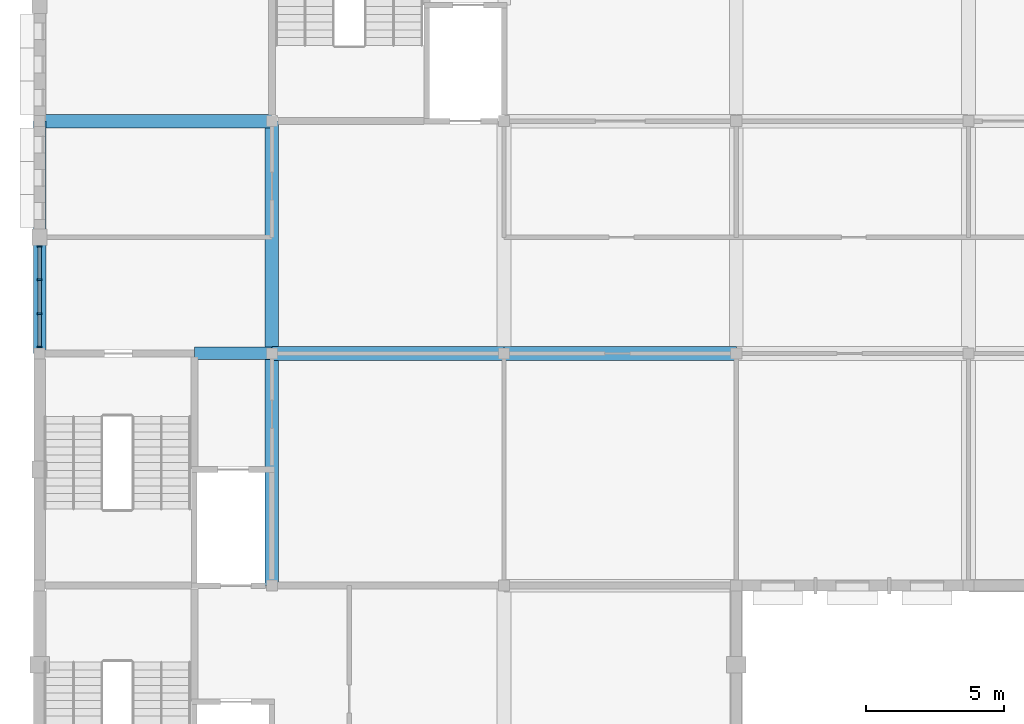
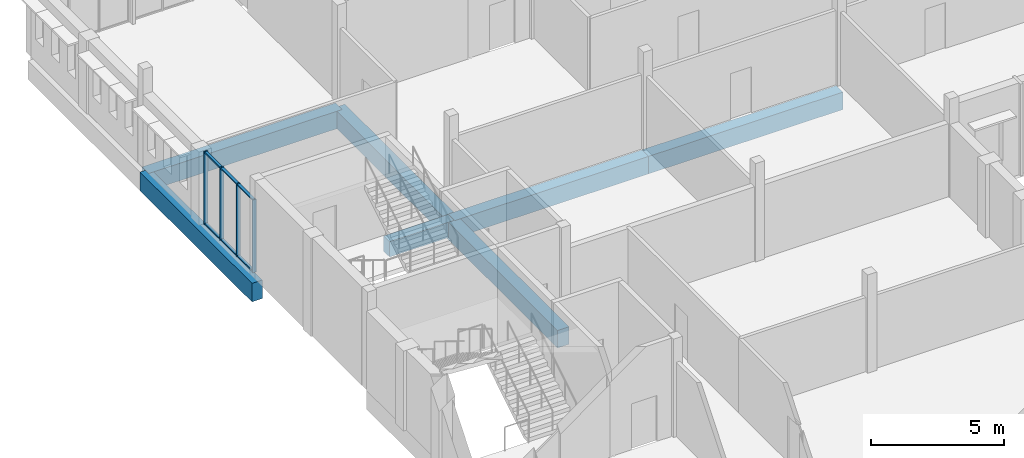
# One storey, part 8 of 22: 10 members, 7 beams, 1 element without a shape of its own.
"""IFC4 building model written with IfcOpenShell, lengths in metres."""

from ifc_helpers import new_model, si_unit, direction, frame, origin, origin_2d, place, context, subcontext, project, spatial, rectangle, extrude, material, material_profile, profile_set, type_object, element, aggregate, save


model = new_model("IFC4")

# Units and contexts
model_context = context("Model", 3, precision=1e-05, world=origin(), true_north=direction((0.0, 1.0)))
body_context = subcontext(model_context, "Body", "Model", "MODEL_VIEW")
ifc_project = project(units=[si_unit("LENGTHUNIT", "METRE"), si_unit("AREAUNIT", "SQUARE_METRE"), si_unit("VOLUMEUNIT", "CUBIC_METRE"), si_unit("PLANEANGLEUNIT", "RADIAN"), si_unit("MASSUNIT", "GRAM", prefix="KILO")], contexts=[model_context])

# Site, building, storey
site_placement = place(None, origin())
site = spatial("IfcSite", under=ifc_project, at=site_placement, CompositionType="ELEMENT")
building_placement = place(site_placement, origin())
building = spatial("IfcBuilding", under=site, at=building_placement, Name="Fescue Hill Polytechnic", CompositionType="ELEMENT")
storey_placement = place(building_placement, frame((0.0, 0.0, 27.0)))
storey = spatial("IfcBuildingStorey", under=building, at=storey_placement, Name="L06", CompositionType="ELEMENT", Elevation=27.0)

# Beams
ifc_material_1 = material(Name="Concrete 35 MPa", Category="concrete")
ifc_material_profile_1 = material_profile(ifc_material_1, rectangle(XDim=0.449951171875, YDim=0.699951171875, at=origin_2d()), Name="RC 450x700")
ifc_profile_set_1 = profile_set([ifc_material_profile_1], Name="Concrete 35 MPa")
beam_type_1 = type_object("IfcBeamType", Name="Beam RC 450x700", PredefinedType="BEAM", material=ifc_profile_set_1)
beam_1_placement = place(storey_placement, frame((5.60009765625, 117.60009765625, -0.64990234375), z_axis=(1.0, 0.0, 0.0), x_axis=(0.0, 1.0, 0.0)))
element("IfcBeam", 1, at=beam_1_placement, inside=storey, type_object=beam_type_1, Name="BM-L06-0015", PredefinedType="BEAM", context=body_context, shape_type="SweptSolid", body=[
    extrude(rectangle(XDim=0.449951171875, YDim=0.699951171875, at=origin_2d()), origin(), (0.0, 0.0, 1.0), 2.789794921875),
])
ifc_material_profile_2 = material_profile(ifc_material_1, rectangle(XDim=0.449951171875, YDim=0.85009765625, at=origin_2d()), Name="RC 450x850")
ifc_profile_set_2 = profile_set([ifc_material_profile_2], Name="Concrete 35 MPa")
beam_type_2 = type_object("IfcBeamType", Name="Beam RC 450x850", PredefinedType="BEAM", material=ifc_profile_set_2)
beam_2_placement = place(storey_placement, frame((0.0, 117.60009765625, -0.72509765625), z_axis=(0.0, 1.0, 0.0), x_axis=(-1.0, 0.0, 0.0)))
element("IfcBeam", 2, at=beam_2_placement, inside=storey, type_object=beam_type_2, Name="BM-L06-0006", PredefinedType="BEAM", context=body_context, shape_type="SweptSolid", body=[
    extrude(rectangle(XDim=0.449951171875, YDim=0.85009765625, at=origin_2d()), origin(), (0.0, 0.0, 1.0), 8.39990234375),
])
ifc_material_profile_3 = material_profile(ifc_material_1, rectangle(XDim=0.5, YDim=0.800048828125, at=origin_2d()), Name="RC 500x800")
ifc_profile_set_3 = profile_set([ifc_material_profile_3], Name="Concrete 35 MPa")
beam_type_3 = type_object("IfcBeamType", Name="Beam RC 500x800", PredefinedType="BEAM", material=ifc_profile_set_3)
beam_3_placement = place(storey_placement, frame((0.010009765625, 126.0, -0.699951171875), z_axis=(1.0, 0.0, 0.0), x_axis=(0.0, 1.0, 0.0)))
element("IfcBeam", 3, at=beam_3_placement, inside=storey, type_object=beam_type_3, Name="BM-L06-0012", PredefinedType="BEAM", context=body_context, shape_type="SweptSolid", body=[
    extrude(rectangle(XDim=0.5, YDim=0.800048828125, at=origin_2d()), origin(), (0.0, 0.0, 1.0), 8.3798828125),
])
beam_4_placement = place(storey_placement, frame((8.39990234375, 109.199951171875, -0.699951171875), z_axis=(0.0, 1.0, 0.0), x_axis=(-1.0, 0.0, 0.0)))
element("IfcBeam", 4, at=beam_4_placement, inside=storey, type_object=beam_type_3, Name="BM-L06-0022", PredefinedType="BEAM", context=body_context, shape_type="SweptSolid", body=[
    extrude(rectangle(XDim=0.5, YDim=0.800048828125, at=origin_2d()), origin(), (0.0, 0.0, 1.0), 8.400146484375),
])
beam_5_placement = place(storey_placement, frame((8.39990234375, 117.60009765625, -0.699951171875), z_axis=(0.0, 1.0, 0.0), x_axis=(-1.0, 0.0, 0.0)))
element("IfcBeam", 5, at=beam_5_placement, inside=storey, type_object=beam_type_3, Name="BM-L06-0023", PredefinedType="BEAM", context=body_context, shape_type="SweptSolid", body=[
    extrude(rectangle(XDim=0.5, YDim=0.800048828125, at=origin_2d()), origin(), (0.0, 0.0, 1.0), 8.39990234375),
])
beam_6_placement = place(storey_placement, frame((8.409912109375, 117.60009765625, -0.699951171875), z_axis=(1.0, 0.0, 0.0), x_axis=(0.0, 1.0, 0.0)))
element("IfcBeam", 6, at=beam_6_placement, inside=storey, type_object=beam_type_3, Name="BM-L06-0030", PredefinedType="BEAM", context=body_context, shape_type="SweptSolid", body=[
    extrude(rectangle(XDim=0.5, YDim=0.800048828125, at=origin_2d()), origin(), (0.0, 0.0, 1.0), 8.39013671875),
])
beam_7_placement = place(storey_placement, frame((16.800048828125, 117.60009765625, -0.699951171875), z_axis=(1.0, 0.0, 0.0), x_axis=(0.0, 1.0, 0.0)))
element("IfcBeam", 7, at=beam_7_placement, inside=storey, type_object=beam_type_3, Name="BM-L06-0041", PredefinedType="BEAM", context=body_context, shape_type="SweptSolid", body=[
    extrude(rectangle(XDim=0.5, YDim=0.800048828125, at=origin_2d()), origin(), (0.0, 0.0, 1.0), 8.39990234375),
])

# Curtain wall, members
ifc_material_2 = material(Name="Glass", Category="glass")
curtain_wall_type = type_object("IfcCurtainWallType", Name="Curtain wall structural glazing", PredefinedType="NOTDEFINED", material=ifc_material_2)
curtain_wall_placement = place(storey_placement, origin())
curtain_wall = element("IfcCurtainWall", 8, at=curtain_wall_placement, inside=storey, type_object=curtain_wall_type, Name="CW-L06-V5-X1", PredefinedType="NOTDEFINED")
ifc_material_3 = material(Name="Powder-coated aluminium", Category="aluminium")
ifc_material_profile_4 = material_profile(ifc_material_3, rectangle(XDim=0.159912109375, YDim=0.06005859375, at=origin_2d()), Name="Mullion aluminium 60x160")
ifc_profile_set_4 = profile_set([ifc_material_profile_4], Name="Powder-coated aluminium")
member_type_1 = type_object("IfcMemberType", Name="Mullion aluminium 60x160", PredefinedType="MULLION", material=ifc_profile_set_4)
member_1_placement = place(storey_placement, frame((0.0, 121.469970703125, 0.0), z_axis=(0.0, 0.0, 1.0), x_axis=(1.0, 0.0, 0.0)))
member_1 = element("IfcMember", 9, at=member_1_placement, type_object=member_type_1, Name="CW149 mullion 1", PredefinedType="MULLION", context=body_context, shape_type="SweptSolid", body=[
    extrude(rectangle(XDim=0.159912109375, YDim=0.06005859375, at=origin_2d()), origin(), (0.0, 0.0, 1.0), 3.330078125),
])
member_2_placement = place(storey_placement, frame((0.0, 120.2666015625, 0.0), z_axis=(0.0, 0.0, 1.0), x_axis=(1.0, 0.0, 0.0)))
member_2 = element("IfcMember", 10, at=member_2_placement, type_object=member_type_1, Name="CW149 mullion 2", PredefinedType="MULLION", context=body_context, shape_type="SweptSolid", body=[
    extrude(rectangle(XDim=0.159912109375, YDim=0.06005859375, at=origin_2d()), origin(), (0.0, 0.0, 1.0), 3.330078125),
])
member_3_placement = place(storey_placement, frame((0.0, 119.033447265625, 0.0), z_axis=(0.0, 0.0, 1.0), x_axis=(1.0, 0.0, 0.0)))
member_3 = element("IfcMember", 11, at=member_3_placement, type_object=member_type_1, Name="CW149 mullion 3", PredefinedType="MULLION", context=body_context, shape_type="SweptSolid", body=[
    extrude(rectangle(XDim=0.159912109375, YDim=0.06005859375, at=origin_2d()), origin(), (0.0, 0.0, 1.0), 3.330078125),
])
member_4_placement = place(storey_placement, frame((0.0, 117.830078125, 0.0), z_axis=(0.0, 0.0, 1.0), x_axis=(1.0, 0.0, 0.0)))
member_4 = element("IfcMember", 12, at=member_4_placement, type_object=member_type_1, Name="CW149 mullion 4", PredefinedType="MULLION", context=body_context, shape_type="SweptSolid", body=[
    extrude(rectangle(XDim=0.159912109375, YDim=0.06005859375, at=origin_2d()), origin(), (0.0, 0.0, 1.0), 3.330078125),
])
ifc_material_profile_5 = material_profile(ifc_material_3, rectangle(XDim=0.1201171875, YDim=0.06005859375, at=origin_2d()), Name="Transom aluminium 60x120")
ifc_profile_set_5 = profile_set([ifc_material_profile_5], Name="Powder-coated aluminium")
member_type_2 = type_object("IfcMemberType", Name="Transom aluminium 60x120", PredefinedType="USERDEFINED", material=ifc_profile_set_5)
member_5_placement = place(storey_placement, frame((0.0, 121.43994140625, 0.030029296875), z_axis=(0.0, -1.0, 0.0), x_axis=(1.0, 0.0, 0.0)))
member_5 = element("IfcMember", 13, at=member_5_placement, type_object=member_type_2, Name="CW149 transom 1.1", ObjectType="TRANSOM", PredefinedType="USERDEFINED", context=body_context, shape_type="SweptSolid", body=[
    extrude(rectangle(XDim=0.1201171875, YDim=0.06005859375, at=origin_2d()), origin(), (0.0, 0.0, 1.0), 1.143310546875),
])
member_6_placement = place(storey_placement, frame((0.0, 121.43994140625, 3.300048828125), z_axis=(0.0, -1.0, 0.0), x_axis=(1.0, 0.0, 0.0)))
member_6 = element("IfcMember", 14, at=member_6_placement, type_object=member_type_2, Name="CW149 transom 1.2", ObjectType="TRANSOM", PredefinedType="USERDEFINED", context=body_context, shape_type="SweptSolid", body=[
    extrude(rectangle(XDim=0.1201171875, YDim=0.06005859375, at=origin_2d()), origin(), (0.0, 0.0, 1.0), 1.143310546875),
])
member_7_placement = place(storey_placement, frame((0.0, 120.236572265625, 0.030029296875), z_axis=(0.0, -1.0, 0.0), x_axis=(1.0, 0.0, 0.0)))
member_7 = element("IfcMember", 15, at=member_7_placement, type_object=member_type_2, Name="CW149 transom 2.1", ObjectType="TRANSOM", PredefinedType="USERDEFINED", context=body_context, shape_type="SweptSolid", body=[
    extrude(rectangle(XDim=0.1201171875, YDim=0.06005859375, at=origin_2d()), origin(), (0.0, 0.0, 1.0), 1.17333984375),
])
member_8_placement = place(storey_placement, frame((0.0, 120.236572265625, 3.300048828125), z_axis=(0.0, -1.0, 0.0), x_axis=(1.0, 0.0, 0.0)))
member_8 = element("IfcMember", 16, at=member_8_placement, type_object=member_type_2, Name="CW149 transom 2.2", ObjectType="TRANSOM", PredefinedType="USERDEFINED", context=body_context, shape_type="SweptSolid", body=[
    extrude(rectangle(XDim=0.1201171875, YDim=0.06005859375, at=origin_2d()), origin(), (0.0, 0.0, 1.0), 1.17333984375),
])
member_9_placement = place(storey_placement, frame((0.0, 119.00341796875, 0.030029296875), z_axis=(0.0, -1.0, 0.0), x_axis=(1.0, 0.0, 0.0)))
member_9 = element("IfcMember", 17, at=member_9_placement, type_object=member_type_2, Name="CW149 transom 3.1", ObjectType="TRANSOM", PredefinedType="USERDEFINED", context=body_context, shape_type="SweptSolid", body=[
    extrude(rectangle(XDim=0.1201171875, YDim=0.06005859375, at=origin_2d()), origin(), (0.0, 0.0, 1.0), 1.143310546875),
])
member_10_placement = place(storey_placement, frame((0.0, 119.00341796875, 3.300048828125), z_axis=(0.0, -1.0, 0.0), x_axis=(1.0, 0.0, 0.0)))
member_10 = element("IfcMember", 18, at=member_10_placement, type_object=member_type_2, Name="CW149 transom 3.2", ObjectType="TRANSOM", PredefinedType="USERDEFINED", context=body_context, shape_type="SweptSolid", body=[
    extrude(rectangle(XDim=0.1201171875, YDim=0.06005859375, at=origin_2d()), origin(), (0.0, 0.0, 1.0), 1.143310546875),
])
aggregate(curtain_wall, [member_1, member_2, member_3, member_4, member_5, member_6, member_7, member_8, member_9, member_10])

save(model, "model.ifc")
